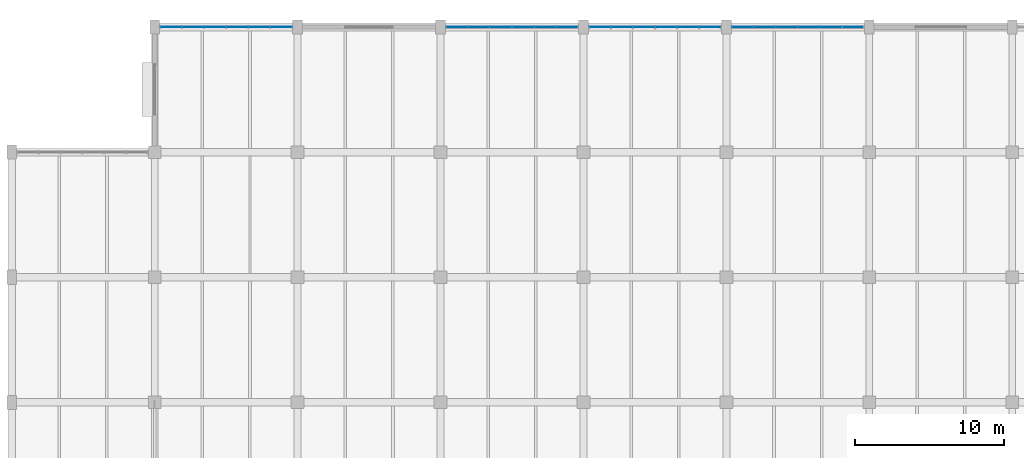
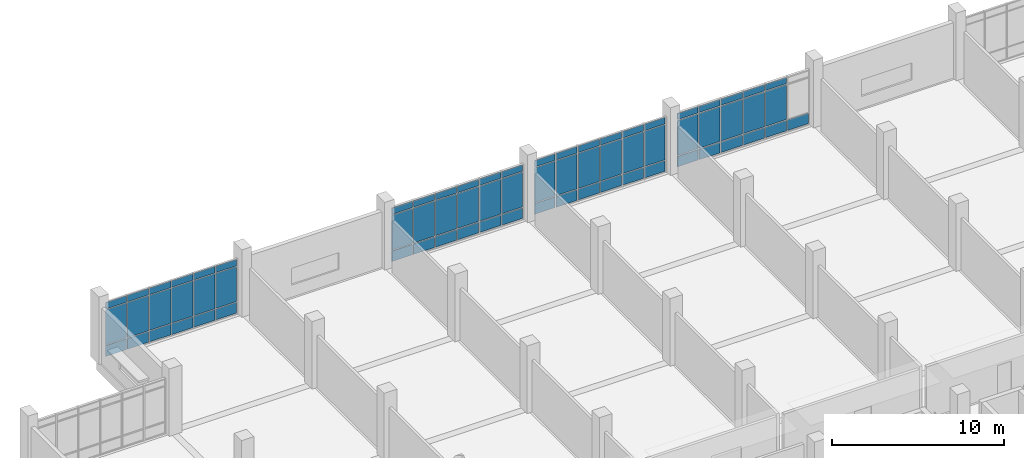
# One storey, part 108 of 152: 70 plates, 4 elements without a shape of their own.
"""IFC4 building model written with IfcOpenShell, lengths in metres."""

from ifc_helpers import new_model, si_unit, direction, frame, origin, origin_2d, place, context, subcontext, project, spatial, rectangle, extrude, material, layer, layer_set, type_object, element, aggregate, save


model = new_model("IFC4")

# Units and contexts
model_context = context("Model", 3, precision=1e-05, world=origin(), true_north=direction((0.0, 1.0)))
body_context = subcontext(model_context, "Body", "Model", "MODEL_VIEW")
ifc_project = project(units=[si_unit("LENGTHUNIT", "METRE"), si_unit("AREAUNIT", "SQUARE_METRE"), si_unit("VOLUMEUNIT", "CUBIC_METRE"), si_unit("PLANEANGLEUNIT", "RADIAN"), si_unit("MASSUNIT", "GRAM", prefix="KILO")], contexts=[model_context])

# Site, building, storey
site_placement = place(None, origin())
site = spatial("IfcSite", under=ifc_project, at=site_placement, CompositionType="ELEMENT")
building_placement = place(site_placement, origin())
building = spatial("IfcBuilding", under=site, at=building_placement, Name="Oolite Switchyard Hospital", CompositionType="ELEMENT")
storey_placement = place(building_placement, frame((0.0, 0.0, 5.10009765625)))
storey = spatial("IfcBuildingStorey", under=building, at=storey_placement, Name="L01", CompositionType="ELEMENT", Elevation=5.10009765625)

# Curtain wall, plates
ifc_material_1 = material(Name="Thermally broken aluminum frame with laminated impact glazing", Category="aluminium")
curtain_wall_type = type_object("IfcCurtainWallType", Name="CW-UNIT-96X48", PredefinedType="USERDEFINED", material=ifc_material_1)
curtain_wall_1_placement = place(storey_placement, origin())
curtain_wall_1 = element("IfcCurtainWall", 1, at=curtain_wall_1_placement, inside=storey, type_object=curtain_wall_type, Name="L01 Unitised Curtain Wall 153", ObjectType="UNITISED", PredefinedType="USERDEFINED")
ifc_material_2 = material(Name="Insulated fluoropolymer-coated aluminum spandrel panel", Category="aluminium")
ifc_layer_1 = layer(ifc_material_2, 0.054931640625)
ifc_layer_set_1 = layer_set([ifc_layer_1], Name="CW-PNL-SPN55")
plate_type_1 = type_object("IfcPlateType", Name="CW-PNL-SPN55", PredefinedType="CURTAIN_PANEL", material=ifc_layer_set_1)
plate_1_placement = place(storey_placement, frame((29.90087890625, 134.39990234375, 0.07470703125), z_axis=(0.0, 0.0, 1.0), x_axis=(1.0, 0.0, 0.0)))
plate_1 = element("IfcPlate", 2, at=plate_1_placement, type_object=plate_type_1, Name="CW-02 panel 1.1", PredefinedType="CURTAIN_PANEL", context=body_context, shape_type="SweptSolid", body=[
    extrude(rectangle(XDim=1.381591796875, YDim=0.054931640625, at=origin_2d()), origin(), (0.0, 0.0, 1.0), 0.737548828125),
])
plate_2_placement = place(storey_placement, frame((29.90087890625, 134.39990234375, 0.88720703125), z_axis=(0.0, 0.0, 1.0), x_axis=(1.0, 0.0, 0.0)))
plate_2 = element("IfcPlate", 3, at=plate_2_placement, type_object=plate_type_1, Name="CW-02 panel 1.2", PredefinedType="CURTAIN_PANEL", context=body_context, shape_type="SweptSolid", body=[
    extrude(rectangle(XDim=1.381591796875, YDim=0.054931640625, at=origin_2d()), origin(), (0.0, 0.0, 1.0), 2.465087890625),
])
plate_3_placement = place(storey_placement, frame((29.90087890625, 134.39990234375, 3.427490234375), z_axis=(0.0, 0.0, 1.0), x_axis=(1.0, 0.0, 0.0)))
plate_3 = element("IfcPlate", 4, at=plate_3_placement, type_object=plate_type_1, Name="CW-02 panel 1.3", PredefinedType="CURTAIN_PANEL", context=body_context, shape_type="SweptSolid", body=[
    extrude(rectangle(XDim=1.381591796875, YDim=0.054931640625, at=origin_2d()), origin(), (0.0, 0.0, 1.0), 0.4375),
])
plate_4_placement = place(storey_placement, frame((31.3701171875, 134.39990234375, 0.07470703125), z_axis=(0.0, 0.0, 1.0), x_axis=(1.0, 0.0, 0.0)))
plate_4 = element("IfcPlate", 5, at=plate_4_placement, type_object=plate_type_1, Name="CW-02 panel 2.1", PredefinedType="CURTAIN_PANEL", context=body_context, shape_type="SweptSolid", body=[
    extrude(rectangle(XDim=1.416748046875, YDim=0.054931640625, at=origin_2d()), origin(), (0.0, 0.0, 1.0), 0.737548828125),
])
plate_5_placement = place(storey_placement, frame((31.3701171875, 134.39990234375, 0.88720703125), z_axis=(0.0, 0.0, 1.0), x_axis=(1.0, 0.0, 0.0)))
plate_5 = element("IfcPlate", 6, at=plate_5_placement, type_object=plate_type_1, Name="CW-02 panel 2.2", PredefinedType="CURTAIN_PANEL", context=body_context, shape_type="SweptSolid", body=[
    extrude(rectangle(XDim=1.416748046875, YDim=0.054931640625, at=origin_2d()), origin(), (0.0, 0.0, 1.0), 2.465087890625),
])
plate_6_placement = place(storey_placement, frame((31.3701171875, 134.39990234375, 3.427490234375), z_axis=(0.0, 0.0, 1.0), x_axis=(1.0, 0.0, 0.0)))
plate_6 = element("IfcPlate", 7, at=plate_6_placement, type_object=plate_type_1, Name="CW-02 panel 2.3", PredefinedType="CURTAIN_PANEL", context=body_context, shape_type="SweptSolid", body=[
    extrude(rectangle(XDim=1.416748046875, YDim=0.054931640625, at=origin_2d()), origin(), (0.0, 0.0, 1.0), 0.4375),
])
plate_7_placement = place(storey_placement, frame((32.856689453125, 134.39990234375, 0.07470703125), z_axis=(0.0, 0.0, 1.0), x_axis=(1.0, 0.0, 0.0)))
plate_7 = element("IfcPlate", 8, at=plate_7_placement, type_object=plate_type_1, Name="CW-02 panel 3.1", PredefinedType="CURTAIN_PANEL", context=body_context, shape_type="SweptSolid", body=[
    extrude(rectangle(XDim=1.416748046875, YDim=0.054931640625, at=origin_2d()), origin(), (0.0, 0.0, 1.0), 0.737548828125),
])
plate_8_placement = place(storey_placement, frame((32.856689453125, 134.39990234375, 0.88720703125), z_axis=(0.0, 0.0, 1.0), x_axis=(1.0, 0.0, 0.0)))
plate_8 = element("IfcPlate", 9, at=plate_8_placement, type_object=plate_type_1, Name="CW-02 panel 3.2", PredefinedType="CURTAIN_PANEL", context=body_context, shape_type="SweptSolid", body=[
    extrude(rectangle(XDim=1.416748046875, YDim=0.054931640625, at=origin_2d()), origin(), (0.0, 0.0, 1.0), 2.465087890625),
])
plate_9_placement = place(storey_placement, frame((32.856689453125, 134.39990234375, 3.427490234375), z_axis=(0.0, 0.0, 1.0), x_axis=(1.0, 0.0, 0.0)))
plate_9 = element("IfcPlate", 10, at=plate_9_placement, type_object=plate_type_1, Name="CW-02 panel 3.3", PredefinedType="CURTAIN_PANEL", context=body_context, shape_type="SweptSolid", body=[
    extrude(rectangle(XDim=1.416748046875, YDim=0.054931640625, at=origin_2d()), origin(), (0.0, 0.0, 1.0), 0.4375),
])
plate_10_placement = place(storey_placement, frame((34.34326171875, 134.39990234375, 0.07470703125), z_axis=(0.0, 0.0, 1.0), x_axis=(1.0, 0.0, 0.0)))
plate_10 = element("IfcPlate", 11, at=plate_10_placement, type_object=plate_type_1, Name="CW-02 panel 4.1", PredefinedType="CURTAIN_PANEL", context=body_context, shape_type="SweptSolid", body=[
    extrude(rectangle(XDim=1.416748046875, YDim=0.054931640625, at=origin_2d()), origin(), (0.0, 0.0, 1.0), 0.737548828125),
])
plate_11_placement = place(storey_placement, frame((34.34326171875, 134.39990234375, 0.88720703125), z_axis=(0.0, 0.0, 1.0), x_axis=(1.0, 0.0, 0.0)))
plate_11 = element("IfcPlate", 12, at=plate_11_placement, type_object=plate_type_1, Name="CW-02 panel 4.2", PredefinedType="CURTAIN_PANEL", context=body_context, shape_type="SweptSolid", body=[
    extrude(rectangle(XDim=1.416748046875, YDim=0.054931640625, at=origin_2d()), origin(), (0.0, 0.0, 1.0), 2.465087890625),
])
plate_12_placement = place(storey_placement, frame((34.34326171875, 134.39990234375, 3.427490234375), z_axis=(0.0, 0.0, 1.0), x_axis=(1.0, 0.0, 0.0)))
plate_12 = element("IfcPlate", 13, at=plate_12_placement, type_object=plate_type_1, Name="CW-02 panel 4.3", PredefinedType="CURTAIN_PANEL", context=body_context, shape_type="SweptSolid", body=[
    extrude(rectangle(XDim=1.416748046875, YDim=0.054931640625, at=origin_2d()), origin(), (0.0, 0.0, 1.0), 0.4375),
])
plate_13_placement = place(storey_placement, frame((35.830078125, 134.39990234375, 0.07470703125), z_axis=(0.0, 0.0, 1.0), x_axis=(1.0, 0.0, 0.0)))
plate_13 = element("IfcPlate", 14, at=plate_13_placement, type_object=plate_type_1, Name="CW-02 panel 5.1", PredefinedType="CURTAIN_PANEL", context=body_context, shape_type="SweptSolid", body=[
    extrude(rectangle(XDim=1.416748046875, YDim=0.054931640625, at=origin_2d()), origin(), (0.0, 0.0, 1.0), 0.737548828125),
])
plate_14_placement = place(storey_placement, frame((35.830078125, 134.39990234375, 0.88720703125), z_axis=(0.0, 0.0, 1.0), x_axis=(1.0, 0.0, 0.0)))
plate_14 = element("IfcPlate", 15, at=plate_14_placement, type_object=plate_type_1, Name="CW-02 panel 5.2", PredefinedType="CURTAIN_PANEL", context=body_context, shape_type="SweptSolid", body=[
    extrude(rectangle(XDim=1.416748046875, YDim=0.054931640625, at=origin_2d()), origin(), (0.0, 0.0, 1.0), 2.465087890625),
])
plate_15_placement = place(storey_placement, frame((35.830078125, 134.39990234375, 3.427490234375), z_axis=(0.0, 0.0, 1.0), x_axis=(1.0, 0.0, 0.0)))
plate_15 = element("IfcPlate", 16, at=plate_15_placement, type_object=plate_type_1, Name="CW-02 panel 5.3", PredefinedType="CURTAIN_PANEL", context=body_context, shape_type="SweptSolid", body=[
    extrude(rectangle(XDim=1.416748046875, YDim=0.054931640625, at=origin_2d()), origin(), (0.0, 0.0, 1.0), 0.4375),
])
plate_16_placement = place(storey_placement, frame((37.299072265625, 134.39990234375, 0.07470703125), z_axis=(0.0, 0.0, 1.0), x_axis=(1.0, 0.0, 0.0)))
plate_16 = element("IfcPlate", 17, at=plate_16_placement, type_object=plate_type_1, Name="CW-02 panel 6.1", PredefinedType="CURTAIN_PANEL", context=body_context, shape_type="SweptSolid", body=[
    extrude(rectangle(XDim=1.381591796875, YDim=0.054931640625, at=origin_2d()), origin(), (0.0, 0.0, 1.0), 0.737548828125),
])
plate_17_placement = place(storey_placement, frame((37.299072265625, 134.39990234375, 0.88720703125), z_axis=(0.0, 0.0, 1.0), x_axis=(1.0, 0.0, 0.0)))
plate_17 = element("IfcPlate", 18, at=plate_17_placement, type_object=plate_type_1, Name="CW-02 panel 6.2", PredefinedType="CURTAIN_PANEL", context=body_context, shape_type="SweptSolid", body=[
    extrude(rectangle(XDim=1.381591796875, YDim=0.054931640625, at=origin_2d()), origin(), (0.0, 0.0, 1.0), 2.465087890625),
])
plate_18_placement = place(storey_placement, frame((37.299072265625, 134.39990234375, 3.427490234375), z_axis=(0.0, 0.0, 1.0), x_axis=(1.0, 0.0, 0.0)))
plate_18 = element("IfcPlate", 19, at=plate_18_placement, type_object=plate_type_1, Name="CW-02 panel 6.3", PredefinedType="CURTAIN_PANEL", context=body_context, shape_type="SweptSolid", body=[
    extrude(rectangle(XDim=1.381591796875, YDim=0.054931640625, at=origin_2d()), origin(), (0.0, 0.0, 1.0), 0.4375),
])
aggregate(curtain_wall_1, [plate_1, plate_2, plate_3, plate_4, plate_5, plate_6, plate_7, plate_8, plate_9, plate_10, plate_11, plate_12, plate_13, plate_14, plate_15, plate_16, plate_17, plate_18])

curtain_wall_2_placement = place(storey_placement, origin())
curtain_wall_2 = element("IfcCurtainWall", 20, at=curtain_wall_2_placement, inside=storey, type_object=curtain_wall_type, Name="L01 Unitised Curtain Wall 154", ObjectType="UNITISED", PredefinedType="USERDEFINED")
ifc_material_3 = material(Name="Laminated hurricane-impact insulated glazing unit", Category="glass")
ifc_layer_2 = layer(ifc_material_3, 0.028076171875)
ifc_layer_set_2 = layer_set([ifc_layer_2], Name="CW-PNL-VIS28")
plate_type_2 = type_object("IfcPlateType", Name="CW-PNL-VIS28", PredefinedType="CURTAIN_PANEL", material=ifc_layer_set_2)
plate_19_placement = place(storey_placement, frame((39.502197265625, 134.39990234375, 0.06005859375), z_axis=(0.0, 0.0, 1.0), x_axis=(1.0, 0.0, 0.0)))
plate_19 = element("IfcPlate", 21, at=plate_19_placement, type_object=plate_type_2, Name="CW-02 panel 1.1", PredefinedType="CURTAIN_PANEL", context=body_context, shape_type="SweptSolid", body=[
    extrude(rectangle(XDim=1.374267578125, YDim=0.028076171875, at=origin_2d()), origin(), (0.0, 0.0, 1.0), 0.760009765625),
])
plate_20_placement = place(storey_placement, frame((39.502197265625, 134.39990234375, 0.8798828125), z_axis=(0.0, 0.0, 1.0), x_axis=(1.0, 0.0, 0.0)))
plate_20 = element("IfcPlate", 22, at=plate_20_placement, type_object=plate_type_2, Name="CW-02 panel 1.2", PredefinedType="CURTAIN_PANEL", context=body_context, shape_type="SweptSolid", body=[
    extrude(rectangle(XDim=1.374267578125, YDim=0.028076171875, at=origin_2d()), origin(), (0.0, 0.0, 1.0), 2.47998046875),
])
plate_21_placement = place(storey_placement, frame((39.502197265625, 134.39990234375, 3.419921875), z_axis=(0.0, 0.0, 1.0), x_axis=(1.0, 0.0, 0.0)))
plate_21 = element("IfcPlate", 23, at=plate_21_placement, type_object=plate_type_2, Name="CW-02 panel 1.3", PredefinedType="CURTAIN_PANEL", context=body_context, shape_type="SweptSolid", body=[
    extrude(rectangle(XDim=1.374267578125, YDim=0.028076171875, at=origin_2d()), origin(), (0.0, 0.0, 1.0), 0.4599609375),
])
plate_22_placement = place(storey_placement, frame((40.969970703125, 134.39990234375, 0.06005859375), z_axis=(0.0, 0.0, 1.0), x_axis=(1.0, 0.0, 0.0)))
plate_22 = element("IfcPlate", 24, at=plate_22_placement, type_object=plate_type_2, Name="CW-02 panel 2.1", PredefinedType="CURTAIN_PANEL", context=body_context, shape_type="SweptSolid", body=[
    extrude(rectangle(XDim=1.41162109375, YDim=0.028076171875, at=origin_2d()), origin(), (0.0, 0.0, 1.0), 0.760009765625),
])
plate_23_placement = place(storey_placement, frame((40.969970703125, 134.39990234375, 0.8798828125), z_axis=(0.0, 0.0, 1.0), x_axis=(1.0, 0.0, 0.0)))
plate_23 = element("IfcPlate", 25, at=plate_23_placement, type_object=plate_type_2, Name="CW-02 panel 2.2", PredefinedType="CURTAIN_PANEL", context=body_context, shape_type="SweptSolid", body=[
    extrude(rectangle(XDim=1.41162109375, YDim=0.028076171875, at=origin_2d()), origin(), (0.0, 0.0, 1.0), 2.47998046875),
])
plate_24_placement = place(storey_placement, frame((40.969970703125, 134.39990234375, 3.419921875), z_axis=(0.0, 0.0, 1.0), x_axis=(1.0, 0.0, 0.0)))
plate_24 = element("IfcPlate", 26, at=plate_24_placement, type_object=plate_type_2, Name="CW-02 panel 2.3", PredefinedType="CURTAIN_PANEL", context=body_context, shape_type="SweptSolid", body=[
    extrude(rectangle(XDim=1.41162109375, YDim=0.028076171875, at=origin_2d()), origin(), (0.0, 0.0, 1.0), 0.4599609375),
])
plate_25_placement = place(storey_placement, frame((42.456787109375, 134.39990234375, 0.06005859375), z_axis=(0.0, 0.0, 1.0), x_axis=(1.0, 0.0, 0.0)))
plate_25 = element("IfcPlate", 27, at=plate_25_placement, type_object=plate_type_2, Name="CW-02 panel 3.1", PredefinedType="CURTAIN_PANEL", context=body_context, shape_type="SweptSolid", body=[
    extrude(rectangle(XDim=1.41162109375, YDim=0.028076171875, at=origin_2d()), origin(), (0.0, 0.0, 1.0), 0.760009765625),
])
plate_26_placement = place(storey_placement, frame((42.456787109375, 134.39990234375, 0.8798828125), z_axis=(0.0, 0.0, 1.0), x_axis=(1.0, 0.0, 0.0)))
plate_26 = element("IfcPlate", 28, at=plate_26_placement, type_object=plate_type_2, Name="CW-02 panel 3.2", PredefinedType="CURTAIN_PANEL", context=body_context, shape_type="SweptSolid", body=[
    extrude(rectangle(XDim=1.41162109375, YDim=0.028076171875, at=origin_2d()), origin(), (0.0, 0.0, 1.0), 2.47998046875),
])
plate_27_placement = place(storey_placement, frame((42.456787109375, 134.39990234375, 3.419921875), z_axis=(0.0, 0.0, 1.0), x_axis=(1.0, 0.0, 0.0)))
plate_27 = element("IfcPlate", 29, at=plate_27_placement, type_object=plate_type_2, Name="CW-02 panel 3.3", PredefinedType="CURTAIN_PANEL", context=body_context, shape_type="SweptSolid", body=[
    extrude(rectangle(XDim=1.41162109375, YDim=0.028076171875, at=origin_2d()), origin(), (0.0, 0.0, 1.0), 0.4599609375),
])
plate_28_placement = place(storey_placement, frame((43.943359375, 134.39990234375, 0.06005859375), z_axis=(0.0, 0.0, 1.0), x_axis=(1.0, 0.0, 0.0)))
plate_28 = element("IfcPlate", 30, at=plate_28_placement, type_object=plate_type_2, Name="CW-02 panel 4.1", PredefinedType="CURTAIN_PANEL", context=body_context, shape_type="SweptSolid", body=[
    extrude(rectangle(XDim=1.41162109375, YDim=0.028076171875, at=origin_2d()), origin(), (0.0, 0.0, 1.0), 0.760009765625),
])
plate_29_placement = place(storey_placement, frame((43.943359375, 134.39990234375, 0.8798828125), z_axis=(0.0, 0.0, 1.0), x_axis=(1.0, 0.0, 0.0)))
plate_29 = element("IfcPlate", 31, at=plate_29_placement, type_object=plate_type_2, Name="CW-02 panel 4.2", PredefinedType="CURTAIN_PANEL", context=body_context, shape_type="SweptSolid", body=[
    extrude(rectangle(XDim=1.41162109375, YDim=0.028076171875, at=origin_2d()), origin(), (0.0, 0.0, 1.0), 2.47998046875),
])
plate_30_placement = place(storey_placement, frame((43.943359375, 134.39990234375, 3.419921875), z_axis=(0.0, 0.0, 1.0), x_axis=(1.0, 0.0, 0.0)))
plate_30 = element("IfcPlate", 32, at=plate_30_placement, type_object=plate_type_2, Name="CW-02 panel 4.3", PredefinedType="CURTAIN_PANEL", context=body_context, shape_type="SweptSolid", body=[
    extrude(rectangle(XDim=1.41162109375, YDim=0.028076171875, at=origin_2d()), origin(), (0.0, 0.0, 1.0), 0.4599609375),
])
plate_31_placement = place(storey_placement, frame((45.429931640625, 134.39990234375, 0.06005859375), z_axis=(0.0, 0.0, 1.0), x_axis=(1.0, 0.0, 0.0)))
plate_31 = element("IfcPlate", 33, at=plate_31_placement, type_object=plate_type_2, Name="CW-02 panel 5.1", PredefinedType="CURTAIN_PANEL", context=body_context, shape_type="SweptSolid", body=[
    extrude(rectangle(XDim=1.41162109375, YDim=0.028076171875, at=origin_2d()), origin(), (0.0, 0.0, 1.0), 0.760009765625),
])
plate_32_placement = place(storey_placement, frame((45.429931640625, 134.39990234375, 0.8798828125), z_axis=(0.0, 0.0, 1.0), x_axis=(1.0, 0.0, 0.0)))
plate_32 = element("IfcPlate", 34, at=plate_32_placement, type_object=plate_type_2, Name="CW-02 panel 5.2", PredefinedType="CURTAIN_PANEL", context=body_context, shape_type="SweptSolid", body=[
    extrude(rectangle(XDim=1.41162109375, YDim=0.028076171875, at=origin_2d()), origin(), (0.0, 0.0, 1.0), 2.47998046875),
])
plate_33_placement = place(storey_placement, frame((45.429931640625, 134.39990234375, 3.419921875), z_axis=(0.0, 0.0, 1.0), x_axis=(1.0, 0.0, 0.0)))
plate_33 = element("IfcPlate", 35, at=plate_33_placement, type_object=plate_type_2, Name="CW-02 panel 5.3", PredefinedType="CURTAIN_PANEL", context=body_context, shape_type="SweptSolid", body=[
    extrude(rectangle(XDim=1.41162109375, YDim=0.028076171875, at=origin_2d()), origin(), (0.0, 0.0, 1.0), 0.4599609375),
])
plate_34_placement = place(storey_placement, frame((46.89794921875, 134.39990234375, 0.06005859375), z_axis=(0.0, 0.0, 1.0), x_axis=(1.0, 0.0, 0.0)))
plate_34 = element("IfcPlate", 36, at=plate_34_placement, type_object=plate_type_2, Name="CW-02 panel 6.1", PredefinedType="CURTAIN_PANEL", context=body_context, shape_type="SweptSolid", body=[
    extrude(rectangle(XDim=1.374267578125, YDim=0.028076171875, at=origin_2d()), origin(), (0.0, 0.0, 1.0), 0.760009765625),
])
plate_35_placement = place(storey_placement, frame((46.89794921875, 134.39990234375, 0.8798828125), z_axis=(0.0, 0.0, 1.0), x_axis=(1.0, 0.0, 0.0)))
plate_35 = element("IfcPlate", 37, at=plate_35_placement, type_object=plate_type_2, Name="CW-02 panel 6.2", PredefinedType="CURTAIN_PANEL", context=body_context, shape_type="SweptSolid", body=[
    extrude(rectangle(XDim=1.374267578125, YDim=0.028076171875, at=origin_2d()), origin(), (0.0, 0.0, 1.0), 2.47998046875),
])
plate_36_placement = place(storey_placement, frame((46.89794921875, 134.39990234375, 3.419921875), z_axis=(0.0, 0.0, 1.0), x_axis=(1.0, 0.0, 0.0)))
plate_36 = element("IfcPlate", 38, at=plate_36_placement, type_object=plate_type_2, Name="CW-02 panel 6.3", PredefinedType="CURTAIN_PANEL", context=body_context, shape_type="SweptSolid", body=[
    extrude(rectangle(XDim=1.374267578125, YDim=0.028076171875, at=origin_2d()), origin(), (0.0, 0.0, 1.0), 0.4599609375),
])
aggregate(curtain_wall_2, [plate_19, plate_20, plate_21, plate_22, plate_23, plate_24, plate_25, plate_26, plate_27, plate_28, plate_29, plate_30, plate_31, plate_32, plate_33, plate_34, plate_35, plate_36])

curtain_wall_3_placement = place(storey_placement, origin())
curtain_wall_3 = element("IfcCurtainWall", 39, at=curtain_wall_3_placement, inside=storey, type_object=curtain_wall_type, Name="L01 Unitised Curtain Wall 152", ObjectType="UNITISED", PredefinedType="USERDEFINED")
ifc_layer_3 = layer(ifc_material_3, 0.031982421875)
ifc_layer_set_3 = layer_set([ifc_layer_3], Name="CW-PNL-VIS32")
plate_type_3 = type_object("IfcPlateType", Name="CW-PNL-VIS32", PredefinedType="CURTAIN_PANEL", material=ifc_layer_set_3)
plate_37_placement = place(storey_placement, frame((10.6982421875, 134.39990234375, 0.06005859375), z_axis=(0.0, 0.0, 1.0), x_axis=(1.0, 0.0, 0.0)))
plate_37 = element("IfcPlate", 40, at=plate_37_placement, type_object=plate_type_3, Name="CW-02 panel 1.1", PredefinedType="CURTAIN_PANEL", context=body_context, shape_type="SweptSolid", body=[
    extrude(rectangle(XDim=1.396728515625, YDim=0.031982421875, at=origin_2d()), origin(), (0.0, 0.0, 1.0), 0.760009765625),
])
plate_38_placement = place(storey_placement, frame((10.6982421875, 134.39990234375, 0.8798828125), z_axis=(0.0, 0.0, 1.0), x_axis=(1.0, 0.0, 0.0)))
plate_38 = element("IfcPlate", 41, at=plate_38_placement, type_object=plate_type_3, Name="CW-02 panel 1.2", PredefinedType="CURTAIN_PANEL", context=body_context, shape_type="SweptSolid", body=[
    extrude(rectangle(XDim=1.396728515625, YDim=0.031982421875, at=origin_2d()), origin(), (0.0, 0.0, 1.0), 2.47998046875),
])
plate_39_placement = place(storey_placement, frame((10.6982421875, 134.39990234375, 3.419921875), z_axis=(0.0, 0.0, 1.0), x_axis=(1.0, 0.0, 0.0)))
plate_39 = element("IfcPlate", 42, at=plate_39_placement, type_object=plate_type_3, Name="CW-02 panel 1.3", PredefinedType="CURTAIN_PANEL", context=body_context, shape_type="SweptSolid", body=[
    extrude(rectangle(XDim=1.396728515625, YDim=0.031982421875, at=origin_2d()), origin(), (0.0, 0.0, 1.0), 0.4599609375),
])
plate_40_placement = place(storey_placement, frame((12.169921875, 134.39990234375, 0.06005859375), z_axis=(0.0, 0.0, 1.0), x_axis=(1.0, 0.0, 0.0)))
plate_40 = element("IfcPlate", 43, at=plate_40_placement, type_object=plate_type_3, Name="CW-02 panel 2.1", PredefinedType="CURTAIN_PANEL", context=body_context, shape_type="SweptSolid", body=[
    extrude(rectangle(XDim=1.4267578125, YDim=0.031982421875, at=origin_2d()), origin(), (0.0, 0.0, 1.0), 0.760009765625),
])
plate_41_placement = place(storey_placement, frame((12.169921875, 134.39990234375, 0.8798828125), z_axis=(0.0, 0.0, 1.0), x_axis=(1.0, 0.0, 0.0)))
plate_41 = element("IfcPlate", 44, at=plate_41_placement, type_object=plate_type_3, Name="CW-02 panel 2.2", PredefinedType="CURTAIN_PANEL", context=body_context, shape_type="SweptSolid", body=[
    extrude(rectangle(XDim=1.4267578125, YDim=0.031982421875, at=origin_2d()), origin(), (0.0, 0.0, 1.0), 2.47998046875),
])
plate_42_placement = place(storey_placement, frame((12.169921875, 134.39990234375, 3.419921875), z_axis=(0.0, 0.0, 1.0), x_axis=(1.0, 0.0, 0.0)))
plate_42 = element("IfcPlate", 45, at=plate_42_placement, type_object=plate_type_3, Name="CW-02 panel 2.3", PredefinedType="CURTAIN_PANEL", context=body_context, shape_type="SweptSolid", body=[
    extrude(rectangle(XDim=1.4267578125, YDim=0.031982421875, at=origin_2d()), origin(), (0.0, 0.0, 1.0), 0.4599609375),
])
plate_43_placement = place(storey_placement, frame((13.65673828125, 134.39990234375, 0.06005859375), z_axis=(0.0, 0.0, 1.0), x_axis=(1.0, 0.0, 0.0)))
plate_43 = element("IfcPlate", 46, at=plate_43_placement, type_object=plate_type_3, Name="CW-02 panel 3.1", PredefinedType="CURTAIN_PANEL", context=body_context, shape_type="SweptSolid", body=[
    extrude(rectangle(XDim=1.4267578125, YDim=0.031982421875, at=origin_2d()), origin(), (0.0, 0.0, 1.0), 0.760009765625),
])
plate_44_placement = place(storey_placement, frame((13.65673828125, 134.39990234375, 0.8798828125), z_axis=(0.0, 0.0, 1.0), x_axis=(1.0, 0.0, 0.0)))
plate_44 = element("IfcPlate", 47, at=plate_44_placement, type_object=plate_type_3, Name="CW-02 panel 3.2", PredefinedType="CURTAIN_PANEL", context=body_context, shape_type="SweptSolid", body=[
    extrude(rectangle(XDim=1.4267578125, YDim=0.031982421875, at=origin_2d()), origin(), (0.0, 0.0, 1.0), 2.47998046875),
])
plate_45_placement = place(storey_placement, frame((13.65673828125, 134.39990234375, 3.419921875), z_axis=(0.0, 0.0, 1.0), x_axis=(1.0, 0.0, 0.0)))
plate_45 = element("IfcPlate", 48, at=plate_45_placement, type_object=plate_type_3, Name="CW-02 panel 3.3", PredefinedType="CURTAIN_PANEL", context=body_context, shape_type="SweptSolid", body=[
    extrude(rectangle(XDim=1.4267578125, YDim=0.031982421875, at=origin_2d()), origin(), (0.0, 0.0, 1.0), 0.4599609375),
])
plate_46_placement = place(storey_placement, frame((15.143310546875, 134.39990234375, 0.06005859375), z_axis=(0.0, 0.0, 1.0), x_axis=(1.0, 0.0, 0.0)))
plate_46 = element("IfcPlate", 49, at=plate_46_placement, type_object=plate_type_3, Name="CW-02 panel 4.1", PredefinedType="CURTAIN_PANEL", context=body_context, shape_type="SweptSolid", body=[
    extrude(rectangle(XDim=1.4267578125, YDim=0.031982421875, at=origin_2d()), origin(), (0.0, 0.0, 1.0), 0.760009765625),
])
plate_47_placement = place(storey_placement, frame((15.143310546875, 134.39990234375, 0.8798828125), z_axis=(0.0, 0.0, 1.0), x_axis=(1.0, 0.0, 0.0)))
plate_47 = element("IfcPlate", 50, at=plate_47_placement, type_object=plate_type_3, Name="CW-02 panel 4.2", PredefinedType="CURTAIN_PANEL", context=body_context, shape_type="SweptSolid", body=[
    extrude(rectangle(XDim=1.4267578125, YDim=0.031982421875, at=origin_2d()), origin(), (0.0, 0.0, 1.0), 2.47998046875),
])
plate_48_placement = place(storey_placement, frame((15.143310546875, 134.39990234375, 3.419921875), z_axis=(0.0, 0.0, 1.0), x_axis=(1.0, 0.0, 0.0)))
plate_48 = element("IfcPlate", 51, at=plate_48_placement, type_object=plate_type_3, Name="CW-02 panel 4.3", PredefinedType="CURTAIN_PANEL", context=body_context, shape_type="SweptSolid", body=[
    extrude(rectangle(XDim=1.4267578125, YDim=0.031982421875, at=origin_2d()), origin(), (0.0, 0.0, 1.0), 0.4599609375),
])
plate_49_placement = place(storey_placement, frame((16.6298828125, 134.39990234375, 0.06005859375), z_axis=(0.0, 0.0, 1.0), x_axis=(1.0, 0.0, 0.0)))
plate_49 = element("IfcPlate", 52, at=plate_49_placement, type_object=plate_type_3, Name="CW-02 panel 5.1", PredefinedType="CURTAIN_PANEL", context=body_context, shape_type="SweptSolid", body=[
    extrude(rectangle(XDim=1.4267578125, YDim=0.031982421875, at=origin_2d()), origin(), (0.0, 0.0, 1.0), 0.760009765625),
])
plate_50_placement = place(storey_placement, frame((16.6298828125, 134.39990234375, 0.8798828125), z_axis=(0.0, 0.0, 1.0), x_axis=(1.0, 0.0, 0.0)))
plate_50 = element("IfcPlate", 53, at=plate_50_placement, type_object=plate_type_3, Name="CW-02 panel 5.2", PredefinedType="CURTAIN_PANEL", context=body_context, shape_type="SweptSolid", body=[
    extrude(rectangle(XDim=1.4267578125, YDim=0.031982421875, at=origin_2d()), origin(), (0.0, 0.0, 1.0), 2.47998046875),
])
plate_51_placement = place(storey_placement, frame((16.6298828125, 134.39990234375, 3.419921875), z_axis=(0.0, 0.0, 1.0), x_axis=(1.0, 0.0, 0.0)))
plate_51 = element("IfcPlate", 54, at=plate_51_placement, type_object=plate_type_3, Name="CW-02 panel 5.3", PredefinedType="CURTAIN_PANEL", context=body_context, shape_type="SweptSolid", body=[
    extrude(rectangle(XDim=1.4267578125, YDim=0.031982421875, at=origin_2d()), origin(), (0.0, 0.0, 1.0), 0.4599609375),
])
plate_52_placement = place(storey_placement, frame((18.1015625, 134.39990234375, 0.06005859375), z_axis=(0.0, 0.0, 1.0), x_axis=(1.0, 0.0, 0.0)))
plate_52 = element("IfcPlate", 55, at=plate_52_placement, type_object=plate_type_3, Name="CW-02 panel 6.1", PredefinedType="CURTAIN_PANEL", context=body_context, shape_type="SweptSolid", body=[
    extrude(rectangle(XDim=1.396728515625, YDim=0.031982421875, at=origin_2d()), origin(), (0.0, 0.0, 1.0), 0.760009765625),
])
plate_53_placement = place(storey_placement, frame((18.1015625, 134.39990234375, 0.8798828125), z_axis=(0.0, 0.0, 1.0), x_axis=(1.0, 0.0, 0.0)))
plate_53 = element("IfcPlate", 56, at=plate_53_placement, type_object=plate_type_3, Name="CW-02 panel 6.2", PredefinedType="CURTAIN_PANEL", context=body_context, shape_type="SweptSolid", body=[
    extrude(rectangle(XDim=1.396728515625, YDim=0.031982421875, at=origin_2d()), origin(), (0.0, 0.0, 1.0), 2.47998046875),
])
plate_54_placement = place(storey_placement, frame((18.1015625, 134.39990234375, 3.419921875), z_axis=(0.0, 0.0, 1.0), x_axis=(1.0, 0.0, 0.0)))
plate_54 = element("IfcPlate", 57, at=plate_54_placement, type_object=plate_type_3, Name="CW-02 panel 6.3", PredefinedType="CURTAIN_PANEL", context=body_context, shape_type="SweptSolid", body=[
    extrude(rectangle(XDim=1.396728515625, YDim=0.031982421875, at=origin_2d()), origin(), (0.0, 0.0, 1.0), 0.4599609375),
])
aggregate(curtain_wall_3, [plate_37, plate_38, plate_39, plate_40, plate_41, plate_42, plate_43, plate_44, plate_45, plate_46, plate_47, plate_48, plate_49, plate_50, plate_51, plate_52, plate_53, plate_54])

curtain_wall_4_placement = place(storey_placement, origin())
curtain_wall_4 = element("IfcCurtainWall", 58, at=curtain_wall_4_placement, inside=storey, type_object=curtain_wall_type, Name="L01 Unitised Curtain Wall 155", ObjectType="UNITISED", PredefinedType="USERDEFINED")
ifc_layer_4 = layer(ifc_material_3, 0.035888671875)
ifc_layer_set_4 = layer_set([ifc_layer_4], Name="CW-PNL-VIS36")
plate_type_4 = type_object("IfcPlateType", Name="CW-PNL-VIS36", PredefinedType="CURTAIN_PANEL", material=ifc_layer_set_4)
plate_55_placement = place(storey_placement, frame((49.098388671875, 134.39990234375, 0.07470703125), z_axis=(0.0, 0.0, 1.0), x_axis=(1.0, 0.0, 0.0)))
plate_55 = element("IfcPlate", 59, at=plate_55_placement, type_object=plate_type_4, Name="CW-02 panel 1.1", PredefinedType="CURTAIN_PANEL", context=body_context, shape_type="SweptSolid", body=[
    extrude(rectangle(XDim=1.396728515625, YDim=0.035888671875, at=origin_2d()), origin(), (0.0, 0.0, 1.0), 0.737548828125),
])
plate_56_placement = place(storey_placement, frame((49.098388671875, 134.39990234375, 0.88720703125), z_axis=(0.0, 0.0, 1.0), x_axis=(1.0, 0.0, 0.0)))
plate_56 = element("IfcPlate", 60, at=plate_56_placement, type_object=plate_type_4, Name="CW-02 panel 1.2", PredefinedType="CURTAIN_PANEL", context=body_context, shape_type="SweptSolid", body=[
    extrude(rectangle(XDim=1.396728515625, YDim=0.035888671875, at=origin_2d()), origin(), (0.0, 0.0, 1.0), 2.465087890625),
])
plate_57_placement = place(storey_placement, frame((49.098388671875, 134.39990234375, 3.427490234375), z_axis=(0.0, 0.0, 1.0), x_axis=(1.0, 0.0, 0.0)))
plate_57 = element("IfcPlate", 61, at=plate_57_placement, type_object=plate_type_4, Name="CW-02 panel 1.3", PredefinedType="CURTAIN_PANEL", context=body_context, shape_type="SweptSolid", body=[
    extrude(rectangle(XDim=1.396728515625, YDim=0.035888671875, at=origin_2d()), origin(), (0.0, 0.0, 1.0), 0.4375),
])
plate_58_placement = place(storey_placement, frame((50.570068359375, 134.39990234375, 0.07470703125), z_axis=(0.0, 0.0, 1.0), x_axis=(1.0, 0.0, 0.0)))
plate_58 = element("IfcPlate", 62, at=plate_58_placement, type_object=plate_type_4, Name="CW-02 panel 2.1", PredefinedType="CURTAIN_PANEL", context=body_context, shape_type="SweptSolid", body=[
    extrude(rectangle(XDim=1.4267578125, YDim=0.035888671875, at=origin_2d()), origin(), (0.0, 0.0, 1.0), 0.737548828125),
])
plate_59_placement = place(storey_placement, frame((50.570068359375, 134.39990234375, 0.88720703125), z_axis=(0.0, 0.0, 1.0), x_axis=(1.0, 0.0, 0.0)))
plate_59 = element("IfcPlate", 63, at=plate_59_placement, type_object=plate_type_4, Name="CW-02 panel 2.2", PredefinedType="CURTAIN_PANEL", context=body_context, shape_type="SweptSolid", body=[
    extrude(rectangle(XDim=1.4267578125, YDim=0.035888671875, at=origin_2d()), origin(), (0.0, 0.0, 1.0), 2.465087890625),
])
plate_60_placement = place(storey_placement, frame((50.570068359375, 134.39990234375, 3.427490234375), z_axis=(0.0, 0.0, 1.0), x_axis=(1.0, 0.0, 0.0)))
plate_60 = element("IfcPlate", 64, at=plate_60_placement, type_object=plate_type_4, Name="CW-02 panel 2.3", PredefinedType="CURTAIN_PANEL", context=body_context, shape_type="SweptSolid", body=[
    extrude(rectangle(XDim=1.4267578125, YDim=0.035888671875, at=origin_2d()), origin(), (0.0, 0.0, 1.0), 0.4375),
])
plate_61_placement = place(storey_placement, frame((52.056640625, 134.39990234375, 0.07470703125), z_axis=(0.0, 0.0, 1.0), x_axis=(1.0, 0.0, 0.0)))
plate_61 = element("IfcPlate", 65, at=plate_61_placement, type_object=plate_type_4, Name="CW-02 panel 3.1", PredefinedType="CURTAIN_PANEL", context=body_context, shape_type="SweptSolid", body=[
    extrude(rectangle(XDim=1.4267578125, YDim=0.035888671875, at=origin_2d()), origin(), (0.0, 0.0, 1.0), 0.737548828125),
])
plate_62_placement = place(storey_placement, frame((52.056640625, 134.39990234375, 0.88720703125), z_axis=(0.0, 0.0, 1.0), x_axis=(1.0, 0.0, 0.0)))
plate_62 = element("IfcPlate", 66, at=plate_62_placement, type_object=plate_type_4, Name="CW-02 panel 3.2", PredefinedType="CURTAIN_PANEL", context=body_context, shape_type="SweptSolid", body=[
    extrude(rectangle(XDim=1.4267578125, YDim=0.035888671875, at=origin_2d()), origin(), (0.0, 0.0, 1.0), 2.465087890625),
])
plate_63_placement = place(storey_placement, frame((52.056640625, 134.39990234375, 3.427490234375), z_axis=(0.0, 0.0, 1.0), x_axis=(1.0, 0.0, 0.0)))
plate_63 = element("IfcPlate", 67, at=plate_63_placement, type_object=plate_type_4, Name="CW-02 panel 3.3", PredefinedType="CURTAIN_PANEL", context=body_context, shape_type="SweptSolid", body=[
    extrude(rectangle(XDim=1.4267578125, YDim=0.035888671875, at=origin_2d()), origin(), (0.0, 0.0, 1.0), 0.4375),
])
plate_64_placement = place(storey_placement, frame((53.543212890625, 134.39990234375, 0.07470703125), z_axis=(0.0, 0.0, 1.0), x_axis=(1.0, 0.0, 0.0)))
plate_64 = element("IfcPlate", 68, at=plate_64_placement, type_object=plate_type_4, Name="CW-02 panel 4.1", PredefinedType="CURTAIN_PANEL", context=body_context, shape_type="SweptSolid", body=[
    extrude(rectangle(XDim=1.4267578125, YDim=0.035888671875, at=origin_2d()), origin(), (0.0, 0.0, 1.0), 0.737548828125),
])
plate_65_placement = place(storey_placement, frame((53.543212890625, 134.39990234375, 0.88720703125), z_axis=(0.0, 0.0, 1.0), x_axis=(1.0, 0.0, 0.0)))
plate_65 = element("IfcPlate", 69, at=plate_65_placement, type_object=plate_type_4, Name="CW-02 panel 4.2", PredefinedType="CURTAIN_PANEL", context=body_context, shape_type="SweptSolid", body=[
    extrude(rectangle(XDim=1.4267578125, YDim=0.035888671875, at=origin_2d()), origin(), (0.0, 0.0, 1.0), 2.465087890625),
])
plate_66_placement = place(storey_placement, frame((53.543212890625, 134.39990234375, 3.427490234375), z_axis=(0.0, 0.0, 1.0), x_axis=(1.0, 0.0, 0.0)))
plate_66 = element("IfcPlate", 70, at=plate_66_placement, type_object=plate_type_4, Name="CW-02 panel 4.3", PredefinedType="CURTAIN_PANEL", context=body_context, shape_type="SweptSolid", body=[
    extrude(rectangle(XDim=1.4267578125, YDim=0.035888671875, at=origin_2d()), origin(), (0.0, 0.0, 1.0), 0.4375),
])
plate_67_placement = place(storey_placement, frame((55.030029296875, 134.39990234375, 0.07470703125), z_axis=(0.0, 0.0, 1.0), x_axis=(1.0, 0.0, 0.0)))
plate_67 = element("IfcPlate", 71, at=plate_67_placement, type_object=plate_type_4, Name="CW-02 panel 5.1", PredefinedType="CURTAIN_PANEL", context=body_context, shape_type="SweptSolid", body=[
    extrude(rectangle(XDim=1.4267578125, YDim=0.035888671875, at=origin_2d()), origin(), (0.0, 0.0, 1.0), 0.737548828125),
])
plate_68_placement = place(storey_placement, frame((55.030029296875, 134.39990234375, 0.88720703125), z_axis=(0.0, 0.0, 1.0), x_axis=(1.0, 0.0, 0.0)))
plate_68 = element("IfcPlate", 72, at=plate_68_placement, type_object=plate_type_4, Name="CW-02 panel 5.2", PredefinedType="CURTAIN_PANEL", context=body_context, shape_type="SweptSolid", body=[
    extrude(rectangle(XDim=1.4267578125, YDim=0.035888671875, at=origin_2d()), origin(), (0.0, 0.0, 1.0), 2.465087890625),
])
plate_69_placement = place(storey_placement, frame((55.030029296875, 134.39990234375, 3.427490234375), z_axis=(0.0, 0.0, 1.0), x_axis=(1.0, 0.0, 0.0)))
plate_69 = element("IfcPlate", 73, at=plate_69_placement, type_object=plate_type_4, Name="CW-02 panel 5.3", PredefinedType="CURTAIN_PANEL", context=body_context, shape_type="SweptSolid", body=[
    extrude(rectangle(XDim=1.4267578125, YDim=0.035888671875, at=origin_2d()), origin(), (0.0, 0.0, 1.0), 0.4375),
])
plate_70_placement = place(storey_placement, frame((56.501708984375, 134.39990234375, 0.07470703125), z_axis=(0.0, 0.0, 1.0), x_axis=(1.0, 0.0, 0.0)))
plate_70 = element("IfcPlate", 74, at=plate_70_placement, type_object=plate_type_4, Name="CW-02 panel 6.1", PredefinedType="CURTAIN_PANEL", context=body_context, shape_type="SweptSolid", body=[
    extrude(rectangle(XDim=1.396728515625, YDim=0.035888671875, at=origin_2d()), origin(), (0.0, 0.0, 1.0), 0.737548828125),
])
aggregate(curtain_wall_4, [plate_55, plate_56, plate_57, plate_58, plate_59, plate_60, plate_61, plate_62, plate_63, plate_64, plate_65, plate_66, plate_67, plate_68, plate_69, plate_70])

save(model, "model.ifc")
